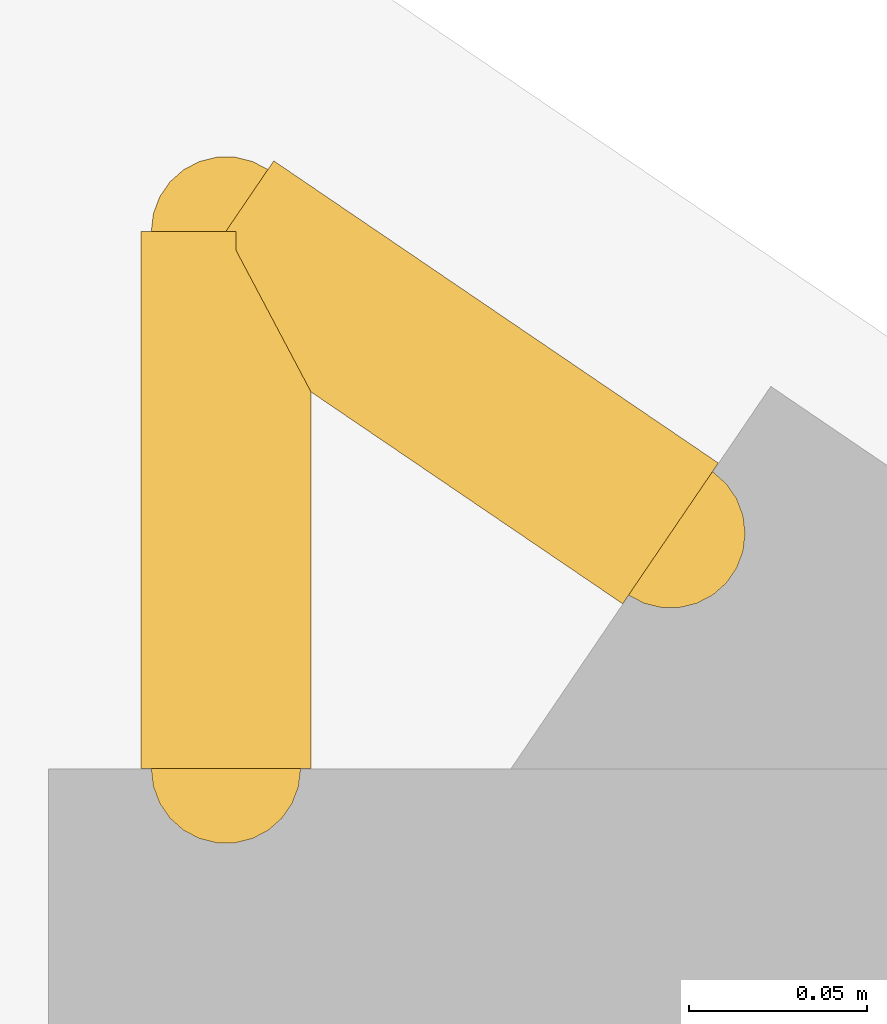
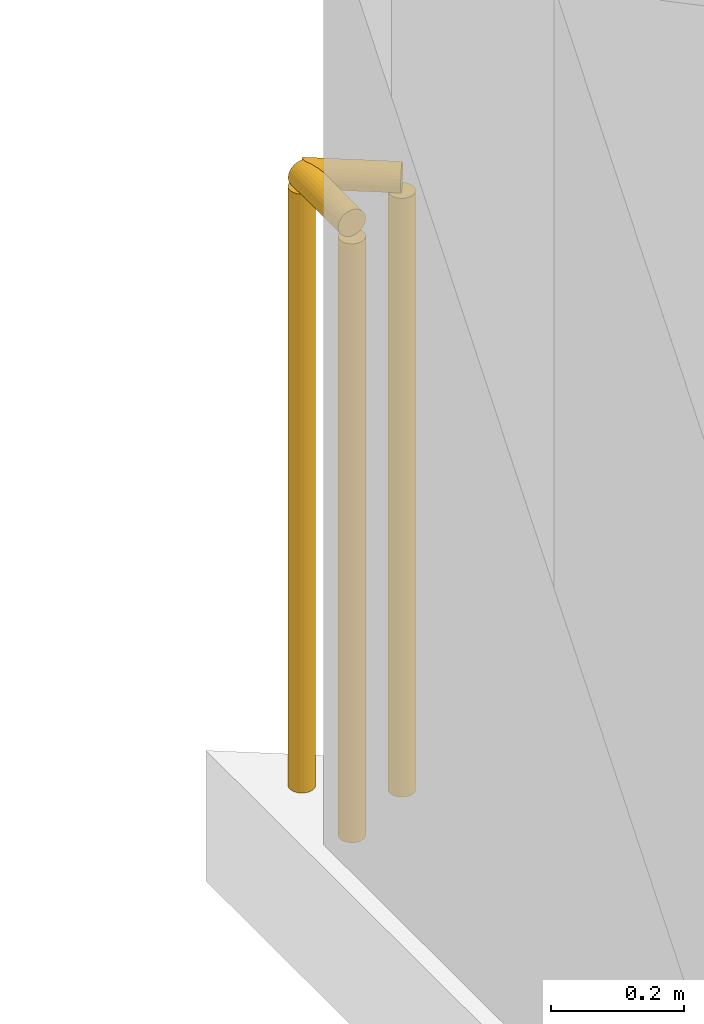
# One storey, part 18 of 19: 2 railings.
"""IFC4 building model written with IfcOpenShell, lengths in metres."""

from ifc_helpers import new_model, si_unit, direction, frame, origin, origin_2d, place, context, subcontext, project, spatial, circle, extrude, material, type_object, element, save


model = new_model("IFC4")

# Units and contexts
model_context = context("Model", 3, precision=1e-05, world=origin(), true_north=direction((0.0, 1.0)))
body_context = subcontext(model_context, "Body", "Model", "MODEL_VIEW")
ifc_project = project(units=[si_unit("LENGTHUNIT", "METRE"), si_unit("AREAUNIT", "SQUARE_METRE"), si_unit("VOLUMEUNIT", "CUBIC_METRE"), si_unit("PLANEANGLEUNIT", "RADIAN"), si_unit("MASSUNIT", "GRAM", prefix="KILO")], contexts=[model_context])

# Site, building, storey
site_placement = place(None, origin())
site = spatial("IfcSite", under=ifc_project, at=site_placement, CompositionType="ELEMENT")
building_placement = place(site_placement, origin())
building = spatial("IfcBuilding", under=site, at=building_placement, Name="Varnakote Quay Hospital", CompositionType="ELEMENT")
storey_placement = place(building_placement, frame((0.0, 0.0, 50.14990234375)))
storey = spatial("IfcBuildingStorey", under=building, at=storey_placement, Name="L12", CompositionType="ELEMENT", Elevation=50.14990234375)

# Railings
ifc_material = material(Name="Anodised aluminium 6063-T6 Bronze", Category="aluminium")
railing_type = type_object("IfcRailingType", Name="RLG-EXT-GUARD-1150", PredefinedType="GUARDRAIL", material=ifc_material)
railing_1_placement = place(storey_placement, frame((2.679931640625, 43.497802734375, 0.0)))
element("IfcRailing", 1, at=railing_1_placement, inside=storey, type_object=railing_type, Name="L12 Slab Edge Perimeter Safety Guard", PredefinedType="GUARDRAIL", context=body_context, shape_type="SweptSolid", body=[
    extrude(circle(Radius=0.02392578125, at=origin_2d()), frame((0.0, 0.0, 1.1259765625), z_axis=(0.0, 1.0, 0.0), x_axis=(-1.0, 0.0, 0.0)), (0.0, 0.0, 1.0), 0.151123046875),
    extrude(circle(Radius=0.02099609375, at=origin_2d()), origin(), (0.0, 0.0, 1.0), 1.101806640625),
    extrude(circle(Radius=0.02099609375, at=origin_2d()), frame((0.0, 0.151123046875, 0.0)), (0.0, 0.0, 1.0), 1.101806640625),
])
railing_2_placement = place(storey_placement, frame((2.679931640625, 43.64892578125, 0.0)))
element("IfcRailing", 2, at=railing_2_placement, inside=storey, type_object=railing_type, Name="L12 Slab Edge Perimeter Safety Guard", PredefinedType="GUARDRAIL", context=body_context, shape_type="SweptSolid", body=[
    extrude(circle(Radius=0.02392578125, at=origin_2d()), frame((0.0, 0.0, 1.1259765625), z_axis=(0.827046660574, -0.562133277109, 0.0), x_axis=(0.562133277109, 0.827046660574, 0.0)), (0.0, 0.0, 1.0), 0.151123046875),
    extrude(circle(Radius=0.02099609375, at=origin_2d()), origin(), (0.0, 0.0, 1.0), 1.101806640625),
    extrude(circle(Radius=0.02099609375, at=origin_2d()), frame((0.125, -0.0849609375, 0.0)), (0.0, 0.0, 1.0), 1.101806640625),
])

save(model, "model.ifc")
